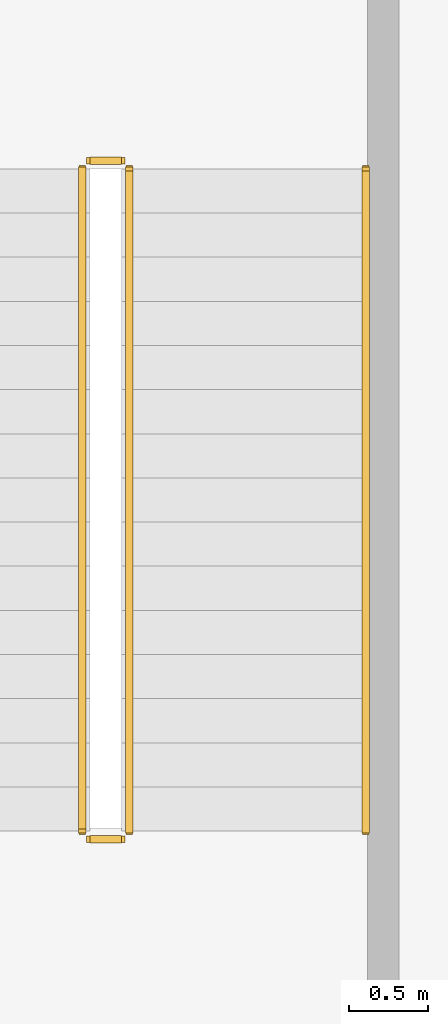
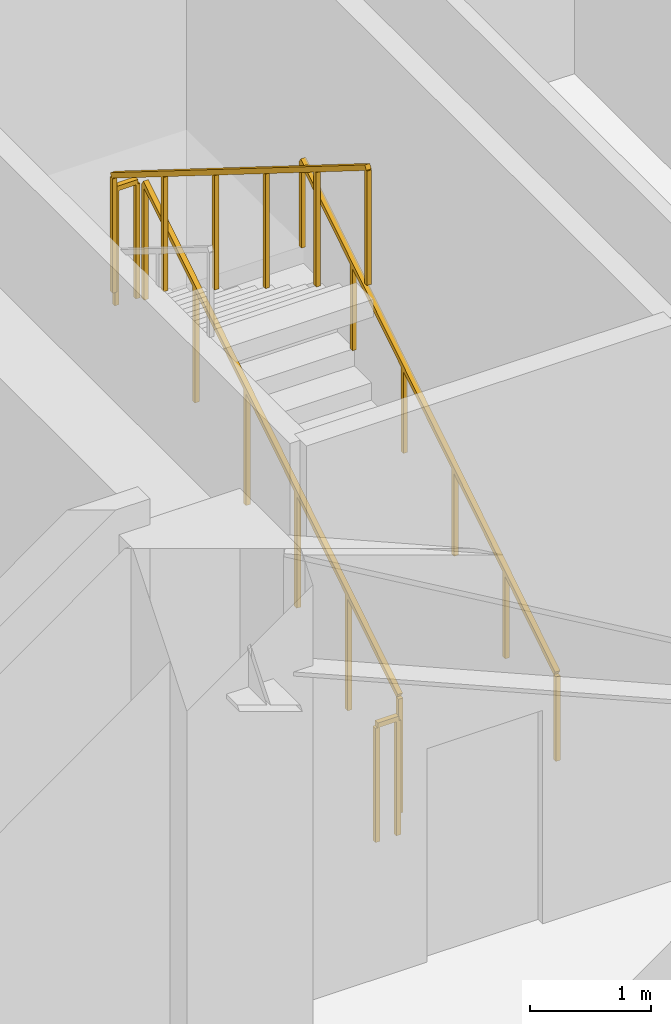
# One storey, part 17 of 18: 5 railings.
"""IFC4 building model written with IfcOpenShell, lengths in metres."""

import ifcopenshell
import ifcopenshell.guid

model = None  # the IFC model being written
_history = None  # IfcOwnerHistory: only IFC2X3 demands one
_inside = {}  # id of a spatial element -> (the spatial element, [elements in it])
_under = {}  # id of a project, library or spatial element -> (it, [spatial elements below it])
_declared = {}  # id of a project -> (the project, [libraries it declares])
_typed = {}  # id of a type object -> (the type object, [elements of that type])
_made_of = {}  # id of a material, layer set ... -> (it, [elements and type objects made of it])


def new_model(schema):
    """Start an empty IFC model of exactly this schema.

    Asked for "IFC4X3", IfcOpenShell would pick the latest addendum, in which some entities
    have other attributes; the version numbers below select the first issue.
    IFC2X3 requires an IfcOwnerHistory on every rooted entity: one is made here for all.
    """
    global model, _history
    if schema == "IFC4X3":
        model = ifcopenshell.file(schema_version=(4, 3, 0, 0))
    else:
        model = ifcopenshell.file(schema=schema)
    _inside.clear()
    _under.clear()
    _declared.clear()
    _typed.clear()
    _made_of.clear()
    _history = None
    if model.schema == "IFC2X3":
        org = make("IfcOrganization", Name="unknown")
        user = make(
            "IfcPersonAndOrganization",
            ThePerson=make("IfcPerson", FamilyName="unknown"),
            TheOrganization=org,
        )
        app = make(
            "IfcApplication",
            ApplicationDeveloper=org,
            Version="unknown",
            ApplicationFullName="unknown",
            ApplicationIdentifier="unknown",
        )
        _history = make(
            "IfcOwnerHistory",
            OwningUser=user,
            OwningApplication=app,
            ChangeAction="ADDED",
            CreationDate=0,
        )
    return model


def make(cls, **values):
    """One entity of the class cls with the attributes given. An attribute that is None is left unset."""
    return model.create_entity(
        cls, **{name: value for name, value in values.items() if value is not None}
    )


def rooted(cls, **values):
    """An entity with a GlobalId (a new one), such as an element, a storey or a relation."""
    return make(cls, GlobalId=ifcopenshell.guid.new(), OwnerHistory=_history, **values)


def si_unit(unit_type, name, prefix=None):
    """IfcSIUnit, for example si_unit("LENGTHUNIT", "METRE", prefix="MILLI")."""
    return make("IfcSIUnit", UnitType=unit_type, Prefix=prefix, Name=name)


def assignment(units):
    """IfcUnitAssignment: the units of a project."""
    return None if units is None else make("IfcUnitAssignment", Units=units)


def point(xyz):
    """IfcCartesianPoint."""
    return None if xyz is None else make("IfcCartesianPoint", Coordinates=xyz)


def direction(xyz):
    """IfcDirection."""
    return None if xyz is None else make("IfcDirection", DirectionRatios=xyz)


def frame(location, z_axis=None, x_axis=None):
    """IfcAxis2Placement3D, a coordinate frame: its origin and axes. An axis left out is left unset."""
    return make(
        "IfcAxis2Placement3D",
        Location=point(location),
        Axis=direction(z_axis),
        RefDirection=direction(x_axis),
    )


def frame_2d(location, x_axis=None):
    """IfcAxis2Placement2D, a coordinate frame in the plane: its origin and x axis."""
    return make(
        "IfcAxis2Placement2D", Location=point(location), RefDirection=direction(x_axis)
    )


def origin():
    """The frame at (0, 0, 0) with its axes left unset."""
    return frame((0.0, 0.0, 0.0))


def origin_2d():
    """The frame at (0, 0) in the plane with its x axis left unset."""
    return frame_2d((0.0, 0.0))


def place(relative_to, where):
    """IfcLocalPlacement: puts the frame where relative to a parent placement (None: the world)."""
    return make(
        "IfcLocalPlacement", PlacementRelTo=relative_to, RelativePlacement=where
    )


def context(
    kind, dimensions, precision=None, world=None, true_north=None, identifier=None
):
    """IfcGeometricRepresentationContext, for example the 3D "Model" context."""
    return make(
        "IfcGeometricRepresentationContext",
        ContextIdentifier=identifier,
        ContextType=kind,
        CoordinateSpaceDimension=dimensions,
        Precision=precision,
        WorldCoordinateSystem=world,
        TrueNorth=true_north,
    )


def subcontext(parent, identifier, kind, view, scale=None):
    """IfcGeometricRepresentationSubContext, for example "Body" below "Model"."""
    return make(
        "IfcGeometricRepresentationSubContext",
        ContextIdentifier=identifier,
        ContextType=kind,
        ParentContext=parent,
        TargetScale=scale,
        TargetView=view,
    )


def project(units=None, contexts=None):
    """IfcProject with its units and contexts."""
    return rooted(
        "IfcProject",
        Name="project",
        RepresentationContexts=contexts,
        UnitsInContext=assignment(units),
    )


def spatial(cls, under=None, at=None, **own):
    """A site, building, storey or space (cls), placed at a placement, below another one or the project."""
    s = rooted(cls, ObjectPlacement=at, **own)
    if under is not None:
        _under.setdefault(under.id(), (under, []))[1].append(s)
    return s


def profile(cls, at=None, kind="AREA", **sizes):
    """A parametric profile (cls). Its sizes go by their IFC names, for example OverallWidth=200.0."""
    return make(cls, ProfileType=kind, Position=at, **sizes)


def rectangle(**sizes):
    """IfcRectangleProfileDef."""
    return profile("IfcRectangleProfileDef", **sizes)


def extrude(swept, where, along, depth):
    """IfcExtrudedAreaSolid: the profile swept, set in the frame where, extruded along a direction by depth."""
    return make(
        "IfcExtrudedAreaSolid",
        SweptArea=swept,
        Position=where,
        ExtrudedDirection=direction(along),
        Depth=depth,
    )


def shape(context_of_items, identifier, shape_type, items):
    """IfcShapeRepresentation: the items that make up one representation, for example the "Body"."""
    return make(
        "IfcShapeRepresentation",
        ContextOfItems=context_of_items,
        RepresentationIdentifier=identifier,
        RepresentationType=shape_type,
        Items=items,
    )


def material(Name=None, Category=None):
    """IfcMaterial."""
    return make("IfcMaterial", Name=Name, Category=Category)


def made_of(thing, what):
    """Note that an element or type object is made of a material, layer set ...; save() writes the relation."""
    if what is not None:
        _made_of.setdefault(what.id(), (what, []))[1].append(thing)
    return thing


def type_object(cls, material=None, **own):
    """A type object (cls), such as IfcWallType, which elements share."""
    return made_of(rooted(cls, **own), material)


def element(
    cls,
    number,
    at=None,
    inside=None,
    cuts=None,
    type_object=None,
    material=None,
    context=None,
    identifier="Body",
    shape_type=None,
    held_by="IfcProductDefinitionShape",
    body=None,
    shapes=None,
    **own,
):
    """One element of the class cls, such as IfcWall. Its Tag is "e" and its number.

    at: its placement. inside: the storey or other place that contains it. cuts: it is an
    opening in that element (IfcRelVoidsElement). A single representation is given by context,
    identifier, shape_type and body (its items); several are given by shapes. held_by: the class
    of the entity that holds the representations. save() writes the other relations.
    """
    e = rooted(cls, Tag="e%d" % number, ObjectPlacement=at, **own)
    if body is not None:
        shapes = [shape(context, identifier, shape_type, body)]
    if shapes is not None:
        e.Representation = make(held_by, Representations=shapes)
    if inside is not None:
        _inside.setdefault(inside.id(), (inside, []))[1].append(e)
    if cuts is not None:
        rooted(
            "IfcRelVoidsElement", RelatingBuildingElement=cuts, RelatedOpeningElement=e
        )
    if type_object is not None:
        _typed.setdefault(type_object.id(), (type_object, []))[1].append(e)
    return made_of(e, material)


def aggregate(whole, parts):
    """IfcRelAggregates: a whole, such as a stair, and the parts it consists of."""
    return rooted("IfcRelAggregates", RelatingObject=whole, RelatedObjects=parts)


def save(model, path):
    """Write the relations noted so far, then the file.

    IfcRelAggregates (storeys below a building ...), IfcRelContainedInSpatialStructure (elements
    in a storey), IfcRelDefinesByType, IfcRelAssociatesMaterial and IfcRelDeclares: one each for
    every whole, place, type object, material and project.
    """
    for whole, parts in _under.values():
        aggregate(whole, parts)
    for where, things in _inside.values():
        rooted(
            "IfcRelContainedInSpatialStructure",
            RelatedElements=things,
            RelatingStructure=where,
        )
    for kind, things in _typed.values():
        rooted("IfcRelDefinesByType", RelatedObjects=things, RelatingType=kind)
    for what, things in _made_of.values():
        rooted("IfcRelAssociatesMaterial", RelatedObjects=things, RelatingMaterial=what)
    for by, libraries in _declared.values():
        rooted("IfcRelDeclares", RelatingContext=by, RelatedDefinitions=libraries)
    model.write(path)


model = new_model("IFC4")

# Units and contexts
model_context = context("Model", 3, precision=1e-05, world=origin(), true_north=direction((0.0, 1.0)))
body_context = subcontext(model_context, "Body", "Model", "MODEL_VIEW")
ifc_project = project(units=[si_unit("LENGTHUNIT", "METRE"), si_unit("AREAUNIT", "SQUARE_METRE"), si_unit("VOLUMEUNIT", "CUBIC_METRE"), si_unit("PLANEANGLEUNIT", "RADIAN"), si_unit("MASSUNIT", "GRAM", prefix="KILO")], contexts=[model_context])

# Site, building, storey
site_placement = place(None, origin())
site = spatial("IfcSite", under=ifc_project, at=site_placement, CompositionType="ELEMENT")
building_placement = place(site_placement, origin())
building = spatial("IfcBuilding", under=site, at=building_placement, Name="Giltprow Tower", CompositionType="ELEMENT")
storey_placement = place(building_placement, origin())
storey = spatial("IfcBuildingStorey", under=building, at=storey_placement, Name="L01", CompositionType="ELEMENT", Elevation=0.0)

# Railings
ifc_material = material(Name="Anodized bronze", Category="metal")
railing_type_1 = type_object("IfcRailingType", Name="RAIL-STAIR-GUARD-1200", PredefinedType="GUARDRAIL", material=ifc_material)
railing_1_placement = place(storey_placement, frame((53.64990234375, 39.75, 0.175048828125)))
element("IfcRailing", 1, at=railing_1_placement, inside=storey, type_object=railing_type_1, Name="L01 ST-P2 stair guard 1", PredefinedType="GUARDRAIL", context=body_context, shape_type="SweptSolid", body=[
    extrude(rectangle(XDim=0.048095703125, YDim=0.048095703125, at=origin_2d()), frame((0.0, 0.0, 1.17578125), z_axis=(0.0, 0.847995534698, 0.530003370869), x_axis=(-1.0, 0.0, 0.0)), (0.0, 0.0, 1.0), 4.952880859375),
    extrude(rectangle(XDim=0.0419921875, YDim=0.0419921875, at=origin_2d()), origin(), (0.0, 0.0, 1.0), 1.15185546875),
    extrude(rectangle(XDim=0.0419921875, YDim=0.0419921875, at=origin_2d()), frame((0.0, 0.840087890625, 0.52490234375)), (0.0, 0.0, 1.0), 1.15185546875),
    extrude(rectangle(XDim=0.0419921875, YDim=0.0419921875, at=origin_2d()), frame((0.0, 1.679931640625, 1.050048828125)), (0.0, 0.0, 1.0), 1.15185546875),
    extrude(rectangle(XDim=0.0419921875, YDim=0.0419921875, at=origin_2d()), frame((0.0, 2.52001953125, 1.574951171875)), (0.0, 0.0, 1.0), 1.15185546875),
    extrude(rectangle(XDim=0.0419921875, YDim=0.0419921875, at=origin_2d()), frame((0.0, 3.35986328125, 2.10009765625)), (0.0, 0.0, 1.0), 1.15185546875),
    extrude(rectangle(XDim=0.0419921875, YDim=0.0419921875, at=origin_2d()), frame((0.0, 4.199951171875, 2.625)), (0.0, 0.0, 1.0), 1.15185546875),
])
railing_2_placement = place(storey_placement, frame((53.60009765625, 44.0, 2.800048828125)))
element("IfcRailing", 2, at=railing_2_placement, inside=storey, type_object=railing_type_1, Name="L01 ST-P2 stair guard 2", PredefinedType="GUARDRAIL", context=body_context, shape_type="SweptSolid", body=[
    extrude(rectangle(XDim=0.048095703125, YDim=0.048095703125, at=origin_2d()), frame((0.0, 0.0, 1.17578125), z_axis=(-1.0, 0.0, 0.0), x_axis=(0.0, -1.0, 0.0)), (0.0, 0.0, 1.0), 0.2001953125),
    extrude(rectangle(XDim=0.0419921875, YDim=0.0419921875, at=origin_2d()), origin(), (0.0, 0.0, 1.0), 1.15185546875),
    extrude(rectangle(XDim=0.0419921875, YDim=0.0419921875, at=origin_2d()), frame((-0.2001953125, 0.0, 0.0)), (0.0, 0.0, 1.0), 1.15185546875),
])
railing_3_placement = place(storey_placement, frame((53.35009765625, 43.949951171875, 2.97509765625)))
element("IfcRailing", 3, at=railing_3_placement, inside=storey, type_object=railing_type_1, Name="L01 ST-P2 stair guard 3", PredefinedType="GUARDRAIL", context=body_context, shape_type="SweptSolid", body=[
    extrude(rectangle(XDim=0.048095703125, YDim=0.048095703125, at=origin_2d()), frame((0.0, 0.0, 1.17578125), z_axis=(0.0, -0.847995534698, 0.530003370869), x_axis=(1.0, 0.0, 0.0)), (0.0, 0.0, 1.0), 4.952880859375),
    extrude(rectangle(XDim=0.0419921875, YDim=0.0419921875, at=origin_2d()), origin(), (0.0, 0.0, 1.0), 1.15185546875),
    extrude(rectangle(XDim=0.0419921875, YDim=0.0419921875, at=origin_2d()), frame((0.0, -0.840087890625, 0.52490234375)), (0.0, 0.0, 1.0), 1.15185546875),
    extrude(rectangle(XDim=0.0419921875, YDim=0.0419921875, at=origin_2d()), frame((0.0, -1.679931640625, 1.050048828125)), (0.0, 0.0, 1.0), 1.15185546875),
    extrude(rectangle(XDim=0.0419921875, YDim=0.0419921875, at=origin_2d()), frame((0.0, -2.52001953125, 1.574951171875)), (0.0, 0.0, 1.0), 1.15185546875),
    extrude(rectangle(XDim=0.0419921875, YDim=0.0419921875, at=origin_2d()), frame((0.0, -3.35986328125, 2.10009765625)), (0.0, 0.0, 1.0), 1.15185546875),
    extrude(rectangle(XDim=0.0419921875, YDim=0.0419921875, at=origin_2d()), frame((0.0, -4.199951171875, 2.625)), (0.0, 0.0, 1.0), 1.15185546875),
])
railing_4_placement = place(storey_placement, frame((53.60009765625, 39.699951171875, 0.0)))
element("IfcRailing", 4, at=railing_4_placement, inside=storey, type_object=railing_type_1, Name="L01 ST-P2 stair guard 4", PredefinedType="GUARDRAIL", context=body_context, shape_type="SweptSolid", body=[
    extrude(rectangle(XDim=0.048095703125, YDim=0.048095703125, at=origin_2d()), frame((0.0, 0.0, 1.17578125), z_axis=(-1.0, 0.0, 0.0), x_axis=(0.0, -1.0, 0.0)), (0.0, 0.0, 1.0), 0.2001953125),
    extrude(rectangle(XDim=0.0419921875, YDim=0.0419921875, at=origin_2d()), origin(), (0.0, 0.0, 1.0), 1.15185546875),
    extrude(rectangle(XDim=0.0419921875, YDim=0.0419921875, at=origin_2d()), frame((-0.2001953125, 0.0, 0.0)), (0.0, 0.0, 1.0), 1.15185546875),
])
railing_type_2 = type_object("IfcRailingType", Name="RAIL-STAIR-HAND-900", PredefinedType="HANDRAIL", material=ifc_material)
railing_5_placement = place(storey_placement, frame((55.14990234375, 39.75, 0.175048828125)))
element("IfcRailing", 5, at=railing_5_placement, inside=storey, type_object=railing_type_2, Name="L01 ST-P2 stair handrail 1", PredefinedType="HANDRAIL", context=body_context, shape_type="SweptSolid", body=[
    extrude(rectangle(XDim=0.048095703125, YDim=0.048095703125, at=origin_2d()), frame((0.0, 0.0, 0.8759765625), z_axis=(0.0, 0.847995534698, 0.530003370869), x_axis=(-1.0, 0.0, 0.0)), (0.0, 0.0, 1.0), 4.952880859375),
    extrude(rectangle(XDim=0.0419921875, YDim=0.0419921875, at=origin_2d()), origin(), (0.0, 0.0, 1.0), 0.851806640625),
    extrude(rectangle(XDim=0.0419921875, YDim=0.0419921875, at=origin_2d()), frame((0.0, 0.840087890625, 0.52490234375)), (0.0, 0.0, 1.0), 0.851806640625),
    extrude(rectangle(XDim=0.0419921875, YDim=0.0419921875, at=origin_2d()), frame((0.0, 1.679931640625, 1.050048828125)), (0.0, 0.0, 1.0), 0.851806640625),
    extrude(rectangle(XDim=0.0419921875, YDim=0.0419921875, at=origin_2d()), frame((0.0, 2.52001953125, 1.574951171875)), (0.0, 0.0, 1.0), 0.851806640625),
    extrude(rectangle(XDim=0.0419921875, YDim=0.0419921875, at=origin_2d()), frame((0.0, 3.35986328125, 2.10009765625)), (0.0, 0.0, 1.0), 0.851806640625),
    extrude(rectangle(XDim=0.0419921875, YDim=0.0419921875, at=origin_2d()), frame((0.0, 4.199951171875, 2.625)), (0.0, 0.0, 1.0), 0.851806640625),
])

save(model, "model.ifc")
